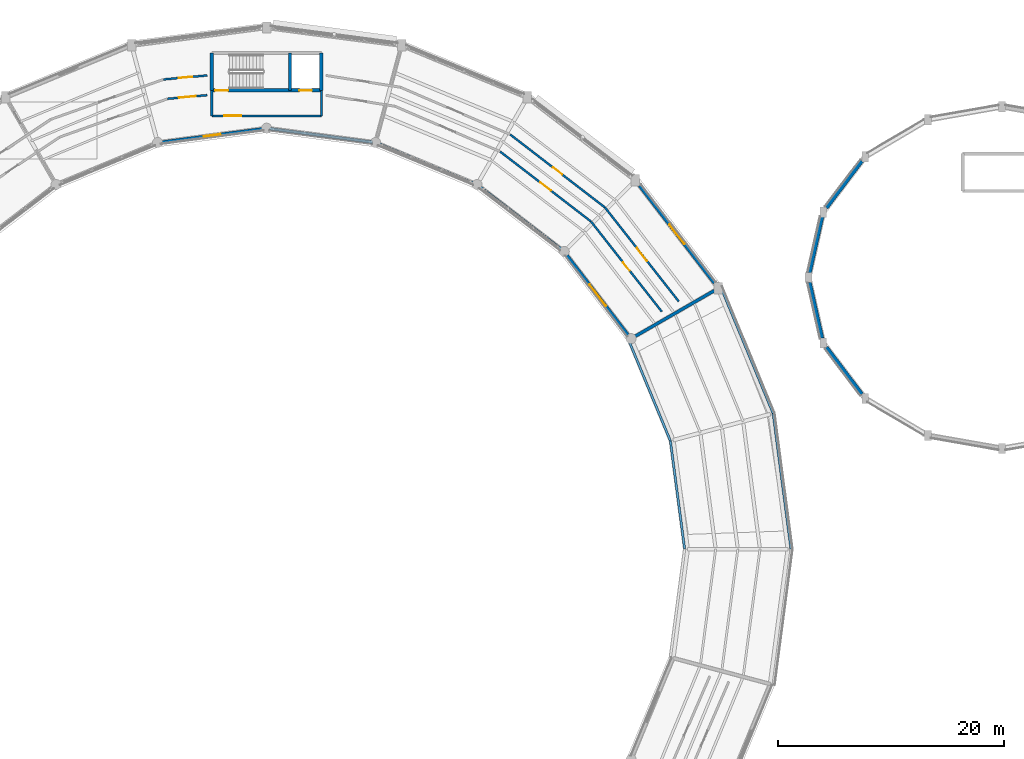
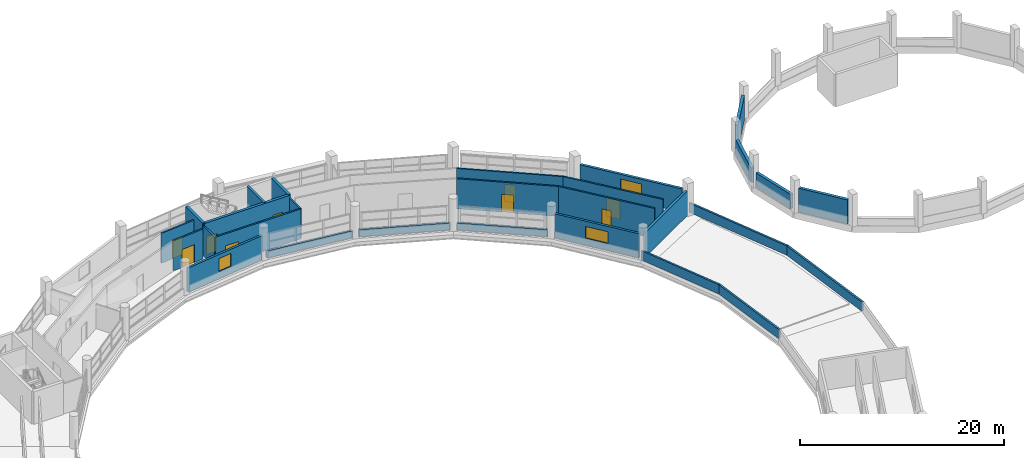
# One storey, part 94 of 108: 28 walls, 9 doors, 3 windows, 12 openings.
"""IFC4 building model written with IfcOpenShell, lengths in metres."""

from ifc_helpers import new_model, si_unit, direction, frame, frame_2d, origin, place, context, subcontext, project, spatial, rectangle, extrude, material, layer, layer_set, type_object, element, fill, save


model = new_model("IFC4")

# Units and contexts
model_context = context("Model", 3, precision=1e-05, world=origin(), true_north=direction((0.0, 1.0)))
body_context = subcontext(model_context, "Body", "Model", "MODEL_VIEW")
ifc_project = project(units=[si_unit("LENGTHUNIT", "METRE"), si_unit("AREAUNIT", "SQUARE_METRE"), si_unit("VOLUMEUNIT", "CUBIC_METRE"), si_unit("PLANEANGLEUNIT", "RADIAN"), si_unit("MASSUNIT", "GRAM", prefix="KILO")], contexts=[model_context])

# Site, building, storey
site_placement = place(None, origin())
site = spatial("IfcSite", under=ifc_project, at=site_placement, CompositionType="ELEMENT")
building_placement = place(site_placement, origin())
building = spatial("IfcBuilding", under=site, at=building_placement, Name="Vespera Passage Community Centre", CompositionType="ELEMENT")
storey_placement = place(building_placement, frame((0.0, 0.0, 12.60009765625)))
storey = spatial("IfcBuildingStorey", under=building, at=storey_placement, Name="L03", CompositionType="ELEMENT", Elevation=12.60009765625)

# Wall, openings, doors
ifc_material_1 = material(Name="Concrete f'c 45 MPa", Category="concrete")
ifc_layer_1 = layer(ifc_material_1, 0.300048828125)
ifc_layer_set_1 = layer_set([ifc_layer_1], Name="Concrete f'c 45 MPa")
wall_type_1 = type_object("IfcWallType", Name="WT-CORE-300I", PredefinedType="SHEAR", material=ifc_layer_set_1)
wall_1_placement = place(storey_placement, frame((82.844970703125, 106.050048828125, 0.0), z_axis=(0.0, 0.0, 1.0), x_axis=(-1.0, 0.0, 0.0)))
wall_1 = element("IfcWall", 1, at=wall_1_placement, inside=storey, type_object=wall_type_1, Name="Core C4 L03 Shear Wall FRONT", PredefinedType="SHEAR", context=body_context, shape_type="SweptSolid", body=[
    extrude(rectangle(XDim=9.68994140625, YDim=0.300048828125, at=frame_2d((4.844970703125, 0.0))), origin(), (0.0, 0.0, 1.0), 3.89990234375),
])
opening_1_placement = place(wall_1_placement, frame((8.2451171875, 0.0, 0.0)))
opening_1 = element("IfcOpeningElement", 2, at=opening_1_placement, cuts=wall_1, Name="Opening DT-STAIR-90", PredefinedType="OPENING", context=body_context, shape_type="SweptSolid", body=[
    extrude(rectangle(XDim=1.14990234375, YDim=2.14990234375, at=frame_2d((0.574951171875, 1.074951171875))), frame((0.0, 0.159912109375, 0.0), z_axis=(0.0, -1.0, 0.0), x_axis=(1.0, 0.0, 0.0)), (0.0, 0.0, 1.0), 0.320068359375),
])
opening_2_placement = place(wall_1_placement, frame((0.85009765625, 0.0, 0.0)))
opening_2 = element("IfcOpeningElement", 3, at=opening_2_placement, cuts=wall_1, Name="Opening DT-LIFT-110", PredefinedType="OPENING", context=body_context, shape_type="SweptSolid", body=[
    extrude(rectangle(XDim=1.10009765625, YDim=2.14990234375, at=frame_2d((0.550048828125, 1.074951171875))), frame((0.0, 0.159912109375, 0.0), z_axis=(0.0, -1.0, 0.0), x_axis=(1.0, 0.0, 0.0)), (0.0, 0.0, 1.0), 0.320068359375),
])
ifc_material_2 = material(Name="Painted hollow-metal acoustic door", Category="steel")
door_type_1 = type_object("IfcDoorType", Name="DT-LIFT-110", OperationType="NOTDEFINED", PredefinedType="DOOR", material=ifc_material_2)
door_1_placement = place(opening_2_placement, origin())
door_1 = element("IfcDoor", 4, at=door_1_placement, inside=storey, type_object=door_type_1, Name="Elevator EL-02 L03 Landing Door LD-020", OperationType="SLIDING_TO_LEFT", OverallHeight=2.14990234375, OverallWidth=1.10009765625, PredefinedType="DOOR", context=body_context, shape_type="SweptSolid", body=[
    extrude(rectangle(XDim=1.10009765625, YDim=2.14990234375, at=frame_2d((0.550048828125, 1.074951171875))), frame((0.0, 0.02490234375, 0.0), z_axis=(0.0, -1.0, 0.0), x_axis=(1.0, 0.0, 0.0)), (0.0, 0.0, 1.0), 0.050048828125),
])
fill(opening_2, door_1)
ifc_material_3 = material(Name="Painted hollow-metal acoustic door", Category="steel")
door_type_2 = type_object("IfcDoorType", Name="DT-STAIR-90", OperationType="NOTDEFINED", PredefinedType="DOOR", material=ifc_material_3)
door_2_placement = place(opening_1_placement, origin())
door_2 = element("IfcDoor", 5, at=door_2_placement, inside=storey, type_object=door_type_2, Name="Core C4 L03 Exit Stair Door D-094", OperationType="SINGLE_SWING_RIGHT", OverallHeight=2.14990234375, OverallWidth=1.14990234375, PredefinedType="DOOR", context=body_context, shape_type="SweptSolid", body=[
    extrude(rectangle(XDim=1.14990234375, YDim=2.14990234375, at=frame_2d((0.574951171875, 1.074951171875))), frame((0.0, 0.02490234375, 0.0), z_axis=(0.0, -1.0, 0.0), x_axis=(1.0, 0.0, 0.0)), (0.0, 0.0, 1.0), 0.050048828125),
])
fill(opening_1, door_2)

# Walls
for number, where, z_axis, x_axis, name in (
    (6, (73.155029296875, 106.050048828125, 0.0), (0.0, 0.0, 1.0), (0.0, 1.0, 0.0), "Core C4 L03 Shear Wall LEFT"),
    (7, (82.844970703125, 109.35009765625, 0.0), (0.0, 0.0, 1.0), (0.0, -1.0, 0.0), "Core C4 L03 Shear Wall RIGHT"),
):
    element("IfcWall", number, at=place(storey_placement, frame(where, z_axis=z_axis, x_axis=x_axis)), inside=storey, type_object=wall_type_1, Name=name, PredefinedType="SHEAR", context=body_context, shape_type="SweptSolid", body=[
        extrude(rectangle(XDim=3.300048828125, YDim=0.300048828125, at=frame_2d((1.64990234375, 0.0))), origin(), (0.0, 0.0, 1.0), 3.89990234375),
    ])

# Wall, opening, door
ifc_material_4 = material(Name="Gypsum board acoustic stud partition")
ifc_layer_2 = layer(ifc_material_4, 0.179931640625)
ifc_layer_set_2 = layer_set([ifc_layer_2], Name="Gypsum board acoustic stud partition")
wall_type_2 = type_object("IfcWallType", Name="WT-CORR-180I", PredefinedType="PARTITIONING", material=ifc_layer_set_2)
wall_2_placement = place(storey_placement, frame((73.155029296875, 103.800048828125, 0.0), z_axis=(0.0, 0.0, 1.0), x_axis=(1.0, 0.0, 0.0)))
wall_2 = element("IfcWall", 8, at=wall_2_placement, inside=storey, type_object=wall_type_2, Name="Core C4 L03 Lift Lobby Front Wall", PredefinedType="PARTITIONING", context=body_context, shape_type="SweptSolid", body=[
    extrude(rectangle(XDim=9.68994140625, YDim=0.179931640625, at=frame_2d((4.844970703125, 0.0))), origin(), (0.0, 0.0, 1.0), 3.594970703125),
])
opening_3_placement = place(wall_2_placement, frame((1.10009765625, 0.0, 0.0)))
opening_3 = element("IfcOpeningElement", 9, at=opening_3_placement, cuts=wall_2, Name="Opening DT-CORR-150", PredefinedType="OPENING", context=body_context, shape_type="SweptSolid", body=[
    extrude(rectangle(XDim=1.5, YDim=2.14990234375, at=frame_2d((0.75, 1.074951171875))), frame((0.0, 0.099853515625, 0.0), z_axis=(0.0, -1.0, 0.0), x_axis=(1.0, 0.0, 0.0)), (0.0, 0.0, 1.0), 0.199951171875),
])
ifc_material_5 = material(Name="Painted hollow-metal acoustic door", Category="steel")
door_type_3 = type_object("IfcDoorType", Name="DT-CORR-150", OperationType="NOTDEFINED", PredefinedType="DOOR", material=ifc_material_5)
door_3_placement = place(opening_3_placement, origin())
door_3 = element("IfcDoor", 10, at=door_3_placement, inside=storey, type_object=door_type_3, Name="Core C4 L03 Lift Lobby Door D-095", OperationType="SINGLE_SWING_LEFT", OverallHeight=2.14990234375, OverallWidth=1.5, PredefinedType="DOOR", context=body_context, shape_type="SweptSolid", body=[
    extrude(rectangle(XDim=1.5, YDim=2.14990234375, at=frame_2d((0.75, 1.074951171875))), frame((0.0, 0.02490234375, 0.0), z_axis=(0.0, -1.0, 0.0), x_axis=(1.0, 0.0, 0.0)), (0.0, 0.0, 1.0), 0.050048828125),
])
fill(opening_3, door_3)

# Walls
for number, where, z_axis, x_axis, name in (
    (11, (73.155029296875, 106.050048828125, 0.0), (0.0, 0.0, 1.0), (0.0, -1.0, 0.0), "Core C4 L03 Lift Lobby Side Wall L"),
    (12, (82.844970703125, 106.050048828125, 0.0), (0.0, 0.0, 1.0), (0.0, -1.0, 0.0), "Core C4 L03 Lift Lobby Side Wall R"),
):
    element("IfcWall", number, at=place(storey_placement, frame(where, z_axis=z_axis, x_axis=x_axis)), inside=storey, type_object=wall_type_2, Name=name, PredefinedType="PARTITIONING", context=body_context, shape_type="SweptSolid", body=[
        extrude(rectangle(XDim=2.25, YDim=0.179931640625, at=frame_2d((1.125, 0.0))), origin(), (0.0, 0.0, 1.0), 3.594970703125),
    ])

# Wall, opening, door
wall_3_placement = place(storey_placement, frame((114.4296875, 87.38916015625, 0.0), z_axis=(0.0, 0.0, 1.0), x_axis=(-0.617569405113, 0.786516388811, 0.0)))
wall_3 = element("IfcWall", 13, at=wall_3_placement, inside=storey, type_object=wall_type_2, Name="L03 Interior Partition V4-L03-CO01.1", PredefinedType="PARTITIONING", context=body_context, shape_type="SweptSolid", body=[
    extrude(rectangle(XDim=10.5634765625, YDim=0.179931640625, at=frame_2d((5.28173828125, 0.0))), origin(), (0.0, 0.0, 1.0), 3.594970703125),
])
opening_4_placement = place(wall_3_placement, frame((4.556640625, 0.0, 0.0)))
opening_4 = element("IfcOpeningElement", 14, at=opening_4_placement, cuts=wall_3, Name="Opening DT-PLANT-145", PredefinedType="OPENING", context=body_context, shape_type="SweptSolid", body=[
    extrude(rectangle(XDim=1.449951171875, YDim=2.199951171875, at=frame_2d((0.72509765625, 1.10009765625))), frame((0.0, 0.099853515625, 0.0), z_axis=(0.0, -1.0, 0.0), x_axis=(1.0, 0.0, 0.0)), (0.0, 0.0, 1.0), 0.199951171875),
])
ifc_material_6 = material(Name="Painted hollow-metal acoustic door", Category="steel")
door_type_4 = type_object("IfcDoorType", Name="DT-PLANT-145", OperationType="NOTDEFINED", PredefinedType="DOOR", material=ifc_material_6)
door_4_placement = place(opening_4_placement, origin())
door_4 = element("IfcDoor", 15, at=door_4_placement, inside=storey, type_object=door_type_4, Name="L03 Interior Door D-222", OperationType="SINGLE_SWING_RIGHT", OverallHeight=2.199951171875, OverallWidth=1.449951171875, PredefinedType="DOOR", context=body_context, shape_type="SweptSolid", body=[
    extrude(rectangle(XDim=1.449951171875, YDim=2.199951171875, at=frame_2d((0.72509765625, 1.10009765625))), frame((0.0, 0.02490234375, 0.0), z_axis=(0.0, -1.0, 0.0), x_axis=(1.0, 0.0, 0.0)), (0.0, 0.0, 1.0), 0.050048828125),
])
fill(opening_4, door_4)

wall_4_placement = place(storey_placement, frame((112.9296875, 86.48779296875, 0.0), z_axis=(0.0, 0.0, 1.0), x_axis=(-0.617570290631, 0.786515693505, 0.0)))
wall_4 = element("IfcWall", 16, at=wall_4_placement, inside=storey, type_object=wall_type_2, Name="L03 Interior Partition V4-L03-CI01.1", PredefinedType="PARTITIONING", context=body_context, shape_type="SweptSolid", body=[
    extrude(rectangle(XDim=10.128662109375, YDim=0.179931640625, at=frame_2d((5.064453125, 0.0))), origin(), (0.0, 0.0, 1.0), 3.594970703125),
])
opening_5_placement = place(wall_4_placement, frame((4.589111328125, 0.0, 0.0)))
opening_5 = element("IfcOpeningElement", 17, at=opening_5_placement, cuts=wall_4, Name="Opening DT-CORR-95", PredefinedType="OPENING", context=body_context, shape_type="SweptSolid", body=[
    extrude(rectangle(XDim=0.949951171875, YDim=2.10009765625, at=frame_2d((0.47509765625, 1.050048828125))), frame((0.0, 0.099853515625, 0.0), z_axis=(0.0, -1.0, 0.0), x_axis=(1.0, 0.0, 0.0)), (0.0, 0.0, 1.0), 0.199951171875),
])
ifc_material_7 = material(Name="Painted hollow-metal acoustic door", Category="steel")
door_type_5 = type_object("IfcDoorType", Name="DT-CORR-95", OperationType="NOTDEFINED", PredefinedType="DOOR", material=ifc_material_7)
door_5_placement = place(opening_5_placement, origin())
door_5 = element("IfcDoor", 18, at=door_5_placement, inside=storey, type_object=door_type_5, Name="L03 Interior Door D-223", OperationType="SINGLE_SWING_LEFT", OverallHeight=2.10009765625, OverallWidth=0.949951171875, PredefinedType="DOOR", context=body_context, shape_type="SweptSolid", body=[
    extrude(rectangle(XDim=0.949951171875, YDim=2.10009765625, at=frame_2d((0.47509765625, 1.050048828125))), frame((0.0, 0.02490234375, 0.0), z_axis=(0.0, -1.0, 0.0), x_axis=(1.0, 0.0, 0.0)), (0.0, 0.0, 1.0), 0.050048828125),
])
fill(opening_5, door_5)

wall_5_placement = place(storey_placement, frame((107.906005859375, 95.697509765625, 0.0), z_axis=(0.0, 0.0, 1.0), x_axis=(-0.792471887743, 0.609908441602, 0.0)))
wall_5 = element("IfcWall", 19, at=wall_5_placement, inside=storey, type_object=wall_type_2, Name="L03 Interior Partition V4-L03-CO02.1", PredefinedType="PARTITIONING", context=body_context, shape_type="SweptSolid", body=[
    extrude(rectangle(XDim=10.563232421875, YDim=0.179931640625, at=frame_2d((5.28173828125, 0.0))), origin(), (0.0, 0.0, 1.0), 3.594970703125),
])
opening_6_placement = place(wall_5_placement, frame((4.756591796875, 0.0, 0.0)))
opening_6 = element("IfcOpeningElement", 20, at=opening_6_placement, cuts=wall_5, Name="Opening DT-CORR-105", PredefinedType="OPENING", context=body_context, shape_type="SweptSolid", body=[
    extrude(rectangle(XDim=1.050048828125, YDim=2.10009765625, at=frame_2d((0.52490234375, 1.050048828125))), frame((0.0, 0.099853515625, 0.0), z_axis=(0.0, -1.0, 0.0), x_axis=(1.0, 0.0, 0.0)), (0.0, 0.0, 1.0), 0.199951171875),
])
ifc_material_8 = material(Name="Painted hollow-metal acoustic door", Category="steel")
door_type_6 = type_object("IfcDoorType", Name="DT-CORR-105", OperationType="NOTDEFINED", PredefinedType="DOOR", material=ifc_material_8)
door_6_placement = place(opening_6_placement, origin())
door_6 = element("IfcDoor", 21, at=door_6_placement, inside=storey, type_object=door_type_6, Name="L03 Interior Door D-224", OperationType="SINGLE_SWING_RIGHT", OverallHeight=2.10009765625, OverallWidth=1.050048828125, PredefinedType="DOOR", context=body_context, shape_type="SweptSolid", body=[
    extrude(rectangle(XDim=1.050048828125, YDim=2.10009765625, at=frame_2d((0.52490234375, 1.050048828125))), frame((0.0, 0.02490234375, 0.0), z_axis=(0.0, -1.0, 0.0), x_axis=(1.0, 0.0, 0.0)), (0.0, 0.0, 1.0), 0.050048828125),
])
fill(opening_6, door_6)

wall_6_placement = place(storey_placement, frame((106.674560546875, 94.4541015625, 0.0), z_axis=(0.0, 0.0, 1.0), x_axis=(-0.792475213615, 0.609904120175, 0.0)))
wall_6 = element("IfcWall", 22, at=wall_6_placement, inside=storey, type_object=wall_type_2, Name="L03 Interior Partition V4-L03-CI02.1", PredefinedType="PARTITIONING", context=body_context, shape_type="SweptSolid", body=[
    extrude(rectangle(XDim=10.128173828125, YDim=0.179931640625, at=frame_2d((5.06396484375, 0.0))), origin(), (0.0, 0.0, 1.0), 3.594970703125),
])
opening_7_placement = place(wall_6_placement, frame((4.464111328125, 0.0, 0.0)))
opening_7 = element("IfcOpeningElement", 23, at=opening_7_placement, cuts=wall_6, Name="Opening DT-CORR-120", PredefinedType="OPENING", context=body_context, shape_type="SweptSolid", body=[
    extrude(rectangle(XDim=1.199951171875, YDim=2.14990234375, at=frame_2d((0.60009765625, 1.074951171875))), frame((0.0, 0.099853515625, 0.0), z_axis=(0.0, -1.0, 0.0), x_axis=(1.0, 0.0, 0.0)), (0.0, 0.0, 1.0), 0.199951171875),
])
ifc_material_9 = material(Name="Painted hollow-metal acoustic door", Category="steel")
door_type_7 = type_object("IfcDoorType", Name="DT-CORR-120", OperationType="NOTDEFINED", PredefinedType="DOOR", material=ifc_material_9)
door_7_placement = place(opening_7_placement, origin())
door_7 = element("IfcDoor", 24, at=door_7_placement, inside=storey, type_object=door_type_7, Name="L03 Interior Door D-225", OperationType="SINGLE_SWING_LEFT", OverallHeight=2.14990234375, OverallWidth=1.199951171875, PredefinedType="DOOR", context=body_context, shape_type="SweptSolid", body=[
    extrude(rectangle(XDim=1.199951171875, YDim=2.14990234375, at=frame_2d((0.60009765625, 1.074951171875))), frame((0.0, 0.02490234375, 0.0), z_axis=(0.0, -1.0, 0.0), x_axis=(1.0, 0.0, 0.0)), (0.0, 0.0, 1.0), 0.050048828125),
])
fill(opening_7, door_7)

wall_7_placement = place(storey_placement, frame((72.7548828125, 107.3662109375, 0.0), z_axis=(0.0, 0.0, 1.0), x_axis=(-0.995803193347, -0.09152049016, 0.0)))
wall_7 = element("IfcWall", 25, at=wall_7_placement, inside=storey, type_object=wall_type_2, Name="L03 Interior Partition V4-L03-CO05.1", PredefinedType="PARTITIONING", context=body_context, shape_type="SweptSolid", body=[
    extrude(rectangle(XDim=3.889404296875, YDim=0.179931640625, at=frame_2d((1.94482421875, 0.0))), origin(), (0.0, 0.0, 1.0), 3.594970703125),
])
opening_8_placement = place(wall_7_placement, frame((1.3447265625, 0.0, 0.0)))
opening_8 = element("IfcOpeningElement", 26, at=opening_8_placement, cuts=wall_7, Name="Opening DT-CORR-120", PredefinedType="OPENING", context=body_context, shape_type="SweptSolid", body=[
    extrude(rectangle(XDim=1.199951171875, YDim=2.14990234375, at=frame_2d((0.60009765625, 1.074951171875))), frame((0.0, 0.099853515625, 0.0), z_axis=(0.0, -1.0, 0.0), x_axis=(1.0, 0.0, 0.0)), (0.0, 0.0, 1.0), 0.199951171875),
])
door_8_placement = place(opening_8_placement, origin())
door_8 = element("IfcDoor", 27, at=door_8_placement, inside=storey, type_object=door_type_7, Name="L03 Interior Door D-230", OperationType="SINGLE_SWING_RIGHT", OverallHeight=2.14990234375, OverallWidth=1.199951171875, PredefinedType="DOOR", context=body_context, shape_type="SweptSolid", body=[
    extrude(rectangle(XDim=1.199951171875, YDim=2.14990234375, at=frame_2d((0.60009765625, 1.074951171875))), frame((0.0, 0.02490234375, 0.0), z_axis=(0.0, -1.0, 0.0), x_axis=(1.0, 0.0, 0.0)), (0.0, 0.0, 1.0), 0.050048828125),
])
fill(opening_8, door_8)

wall_8_placement = place(storey_placement, frame((72.7548828125, 105.62255859375, 0.0), z_axis=(0.0, 0.0, 1.0), x_axis=(-0.995800964817, -0.091544734794, 0.0)))
wall_8 = element("IfcWall", 28, at=wall_8_placement, inside=storey, type_object=wall_type_2, Name="L03 Interior Partition V4-L03-CI05.1", PredefinedType="PARTITIONING", context=body_context, shape_type="SweptSolid", body=[
    extrude(rectangle(XDim=3.51220703125, YDim=0.179931640625, at=frame_2d((1.756103515625, 0.0))), origin(), (0.0, 0.0, 1.0), 3.594970703125),
])
opening_9_placement = place(wall_8_placement, frame((1.006103515625, 0.0, 0.0)))
opening_9 = element("IfcOpeningElement", 29, at=opening_9_placement, cuts=wall_8, Name="Opening DT-CORR-150", PredefinedType="OPENING", context=body_context, shape_type="SweptSolid", body=[
    extrude(rectangle(XDim=1.5, YDim=2.14990234375, at=frame_2d((0.75, 1.074951171875))), frame((0.0, 0.099853515625, 0.0), z_axis=(0.0, -1.0, 0.0), x_axis=(1.0, 0.0, 0.0)), (0.0, 0.0, 1.0), 0.199951171875),
])
door_9_placement = place(opening_9_placement, origin())
door_9 = element("IfcDoor", 30, at=door_9_placement, inside=storey, type_object=door_type_3, Name="L03 Interior Door D-231", OperationType="SINGLE_SWING_LEFT", OverallHeight=2.14990234375, OverallWidth=1.5, PredefinedType="DOOR", context=body_context, shape_type="SweptSolid", body=[
    extrude(rectangle(XDim=1.5, YDim=2.14990234375, at=frame_2d((0.75, 1.074951171875))), frame((0.0, 0.02490234375, 0.0), z_axis=(0.0, -1.0, 0.0), x_axis=(1.0, 0.0, 0.0)), (0.0, 0.0, 1.0), 0.050048828125),
])
fill(opening_9, door_9)

# Wall
ifc_material_10 = material(Name="Concrete f'c 45 MPa", Category="concrete")
ifc_layer_3 = layer(ifc_material_10, 0.239990234375)
ifc_layer_set_3 = layer_set([ifc_layer_3], Name="Concrete f'c 45 MPa")
wall_type_3 = type_object("IfcWallType", Name="WT-DIV-240I", PredefinedType="SHEAR", material=ifc_layer_set_3)
wall_9_placement = place(storey_placement, frame((80.074951171875, 106.050048828125, 0.0), z_axis=(0.0, 0.0, 1.0), x_axis=(0.0, 1.0, 0.0)))
element("IfcWall", 31, at=wall_9_placement, inside=storey, type_object=wall_type_3, Name="Core C4 L03 Hoistway Divider Wall", PredefinedType="SHEAR", context=body_context, shape_type="SweptSolid", body=[
    extrude(rectangle(XDim=3.300048828125, YDim=0.239990234375, at=frame_2d((1.64990234375, 0.0))), origin(), (0.0, 0.0, 1.0), 3.89990234375),
])

# Wall, opening, window
ifc_material_11 = material(Name="Precast concrete f'c 40 MPa", Category="concrete")
ifc_layer_4 = layer(ifc_material_11, 0.25)
ifc_layer_set_4 = layer_set([ifc_layer_4], Name="Precast concrete f'c 40 MPa")
wall_type_4 = type_object("IfcWallType", Name="WT-EXT-250E", PredefinedType="STANDARD", material=ifc_layer_set_4)
wall_10_placement = place(storey_placement, frame((110.001220703125, 84.380126953125, 0.0), z_axis=(0.0, 0.0, 1.0), x_axis=(-0.608769580289, 0.793347085527, 0.0)))
wall_10 = element("IfcWall", 32, at=wall_10_placement, inside=storey, type_object=wall_type_4, Name="V4 L03 Inner Court Precast Wall 2", PredefinedType="STANDARD", context=body_context, shape_type="SweptSolid", body=[
    extrude(rectangle(XDim=9.0048828125, YDim=0.25, at=frame_2d((4.50244140625, 0.0))), origin(), (0.0, 0.0, 1.0), 2.889404296875),
])
opening_10_placement = place(wall_10_placement, frame((3.302490234375, 0.0, 0.85009765625)))
opening_10 = element("IfcOpeningElement", 33, at=opening_10_placement, cuts=wall_10, Name="Opening WN-09E", PredefinedType="OPENING", context=body_context, shape_type="SweptSolid", body=[
    extrude(rectangle(XDim=2.39990234375, YDim=1.39990234375, at=frame_2d((1.199951171875, 0.699951171875))), frame((0.0, 0.135009765625, 0.0), z_axis=(0.0, -1.0, 0.0), x_axis=(1.0, 0.0, 0.0)), (0.0, 0.0, 1.0), 0.27001953125),
])
ifc_material_12 = material(Name="Low-E insulated vision glass", Category="glass")
window_type_1 = type_object("IfcWindowType", Name="WN-09E", PartitioningType="SINGLE_PANEL", PredefinedType="WINDOW", material=ifc_material_12)
window_1_placement = place(opening_10_placement, origin())
window_1 = element("IfcWindow", 34, at=window_1_placement, inside=storey, type_object=window_type_1, Name="Window WN-V4-L03-I02", OverallHeight=1.39990234375, OverallWidth=2.39990234375, PartitioningType="SINGLE_PANEL", PredefinedType="WINDOW", context=body_context, shape_type="SweptSolid", body=[
    extrude(rectangle(XDim=2.39990234375, YDim=1.39990234375, at=frame_2d((1.199951171875, 0.699951171875))), frame((0.0, 0.030029296875, 0.0), z_axis=(0.0, -1.0, 0.0), x_axis=(1.0, 0.0, 0.0)), (0.0, 0.0, 1.0), 0.06005859375),
])
fill(opening_10, window_1)

# Walls
wall_11_placement = place(storey_placement, frame((104.024169921875, 92.019287109375, 0.0), z_axis=(0.0, 0.0, 1.0), x_axis=(-0.793347085527, 0.608769580289, 0.0)))
element("IfcWall", 35, at=wall_11_placement, inside=storey, type_object=wall_type_4, Name="V4 L03 Court Spandrel Wall I3", PredefinedType="STANDARD", context=body_context, shape_type="SweptSolid", body=[
    extrude(rectangle(XDim=9.0048828125, YDim=0.25, at=frame_2d((4.50244140625, 0.0))), origin(), (0.0, 0.0, 1.0), 0.81982421875),
])
wall_12_placement = place(storey_placement, frame((96.322998046875, 97.830810546875, 0.0), z_axis=(0.0, 0.0, 1.0), x_axis=(-0.923880324771, 0.382681519675, 0.0)))
element("IfcWall", 36, at=wall_12_placement, inside=storey, type_object=wall_type_4, Name="V4 L03 Court Spandrel Wall I4", PredefinedType="STANDARD", context=body_context, shape_type="SweptSolid", body=[
    extrude(rectangle(XDim=9.111572265625, YDim=0.25, at=frame_2d((4.5556640625, 0.0))), origin(), (0.0, 0.0, 1.0), 0.81982421875),
])
wall_13_placement = place(storey_placement, frame((87.352783203125, 101.468505859375, 0.0), z_axis=(0.0, 0.0, 1.0), x_axis=(-0.991441766434, 0.130549698469, 0.0)))
element("IfcWall", 37, at=wall_13_placement, inside=storey, type_object=wall_type_4, Name="V4 L03 Court Spandrel Wall I5", PredefinedType="STANDARD", context=body_context, shape_type="SweptSolid", body=[
    extrude(rectangle(XDim=9.156005859375, YDim=0.25, at=frame_2d((4.578125, 0.0))), origin(), (0.0, 0.0, 1.0), 0.81982421875),
])

# Wall, opening, window
wall_14_placement = place(storey_placement, frame((77.724853515625, 102.663818359375, 0.0), z_axis=(0.0, 0.0, 1.0), x_axis=(-0.991441766434, -0.130549698469, 0.0)))
wall_14 = element("IfcWall", 38, at=wall_14_placement, inside=storey, type_object=wall_type_4, Name="V4 L03 Inner Court Precast Wall 6", PredefinedType="STANDARD", context=body_context, shape_type="SweptSolid", body=[
    extrude(rectangle(XDim=9.156005859375, YDim=0.25, at=frame_2d((4.578125, 0.0))), origin(), (0.0, 0.0, 1.0), 2.889404296875),
])
opening_11_placement = place(wall_14_placement, frame((3.827880859375, 0.0, 0.85009765625)))
opening_11 = element("IfcOpeningElement", 39, at=opening_11_placement, cuts=wall_14, Name="Opening WN-10E", PredefinedType="OPENING", context=body_context, shape_type="SweptSolid", body=[
    extrude(rectangle(XDim=1.5, YDim=1.550048828125, at=frame_2d((0.75, 0.77490234375))), frame((0.0, 0.135009765625, 0.0), z_axis=(0.0, -1.0, 0.0), x_axis=(1.0, 0.0, 0.0)), (0.0, 0.0, 1.0), 0.27001953125),
])
ifc_material_13 = material(Name="Low-E insulated vision glass", Category="glass")
window_type_2 = type_object("IfcWindowType", Name="WN-10E", PartitioningType="SINGLE_PANEL", PredefinedType="WINDOW", material=ifc_material_13)
window_2_placement = place(opening_11_placement, origin())
window_2 = element("IfcWindow", 40, at=window_2_placement, inside=storey, type_object=window_type_2, Name="Window WN-V4-L03-I06", OverallHeight=1.550048828125, OverallWidth=1.5, PartitioningType="SINGLE_PANEL", PredefinedType="WINDOW", context=body_context, shape_type="SweptSolid", body=[
    extrude(rectangle(XDim=1.5, YDim=1.550048828125, at=frame_2d((0.75, 0.77490234375))), frame((0.0, 0.030029296875, 0.0), z_axis=(0.0, -1.0, 0.0), x_axis=(1.0, 0.0, 0.0)), (0.0, 0.0, 1.0), 0.06005859375),
])
fill(opening_11, window_2)

ifc_material_14 = material(Name="Precast concrete f'c 40 MPa", Category="concrete")
ifc_layer_5 = layer(ifc_material_14, 0.280029296875)
ifc_layer_set_5 = layer_set([ifc_layer_5], Name="Precast concrete f'c 40 MPa")
wall_type_5 = type_object("IfcWallType", Name="WT-EXT-280E", PredefinedType="STANDARD", material=ifc_layer_set_5)
wall_15_placement = place(storey_placement, frame((110.95751953125, 97.628662109375, 0.0), z_axis=(0.0, 0.0, 1.0), x_axis=(0.608753590889, -0.79335935463, 0.0)))
wall_15 = element("IfcWall", 41, at=wall_15_placement, inside=storey, type_object=wall_type_5, Name="V4 L03 Outer Precast Wall 2", PredefinedType="STANDARD", context=body_context, shape_type="SweptSolid", body=[
    extrude(rectangle(XDim=10.852294921875, YDim=0.280029296875, at=frame_2d((5.42626953125, 0.0))), origin(), (0.0, 0.0, 1.0), 2.805419921875),
])
opening_12_placement = place(wall_15_placement, frame((4.326171875, 0.0, 0.85009765625)))
opening_12 = element("IfcOpeningElement", 42, at=opening_12_placement, cuts=wall_15, Name="Opening WN-08E", PredefinedType="OPENING", context=body_context, shape_type="SweptSolid", body=[
    extrude(rectangle(XDim=2.199951171875, YDim=1.39990234375, at=frame_2d((1.10009765625, 0.699951171875))), frame((0.0, 0.150146484375, 0.0), z_axis=(0.0, -1.0, 0.0), x_axis=(1.0, 0.0, 0.0)), (0.0, 0.0, 1.0), 0.300048828125),
])
ifc_material_15 = material(Name="Low-E insulated vision glass", Category="glass")
window_type_3 = type_object("IfcWindowType", Name="WN-08E", PartitioningType="SINGLE_PANEL", PredefinedType="WINDOW", material=ifc_material_15)
window_3_placement = place(opening_12_placement, origin())
window_3 = element("IfcWindow", 43, at=window_3_placement, inside=storey, type_object=window_type_3, Name="Window WN-V4-L03-O02", OverallHeight=1.39990234375, OverallWidth=2.199951171875, PartitioningType="SINGLE_PANEL", PredefinedType="WINDOW", context=body_context, shape_type="SweptSolid", body=[
    extrude(rectangle(XDim=2.199951171875, YDim=1.39990234375, at=frame_2d((1.10009765625, 0.699951171875))), frame((0.0, 0.030029296875, 0.0), z_axis=(0.0, -1.0, 0.0), x_axis=(1.0, 0.0, 0.0)), (0.0, 0.0, 1.0), 0.06005859375),
])
fill(opening_12, window_3)

# Walls
wall_16_placement = place(storey_placement, frame((117.570556640625, 88.345947265625, 0.0), z_axis=(0.0, 0.0, 1.0), x_axis=(-0.866037309438, -0.499979378237, 0.0)))
element("IfcWall", 44, at=wall_16_placement, inside=storey, type_object=wall_type_5, Name="V4 L03 Radial End Facade Wall START", PredefinedType="STANDARD", context=body_context, shape_type="SweptSolid", body=[
    extrude(rectangle(XDim=8.170654296875, YDim=0.280029296875, at=frame_2d((4.08544921875, 0.0))), origin(), (0.0, 0.0, 1.0), 2.95654296875),
])
ifc_material_16 = material(Name="Precast concrete f'c 40 MPa", Category="concrete")
ifc_layer_6 = layer(ifc_material_16, 0.320068359375)
ifc_layer_set_6 = layer_set([ifc_layer_6], Name="Precast concrete f'c 40 MPa")
wall_type_6 = type_object("IfcWallType", Name="WT-EXT-320E", PredefinedType="STANDARD", material=ifc_layer_set_6)
wall_17_placement = place(storey_placement, frame((127.486572265625, 95.655029296875, 0.0), z_axis=(0.0, 0.0, 1.0), x_axis=(0.603398282319, 0.797439974477, 0.0)))
element("IfcWall", 45, at=wall_17_placement, inside=storey, type_object=wall_type_6, Name="V2 L03 Facade Wall 7", PredefinedType="STANDARD", context=body_context, shape_type="SweptSolid", body=[
    extrude(rectangle(XDim=5.19873046875, YDim=0.320068359375, at=frame_2d((2.599365234375, 0.0))), origin(), (0.0, 0.0, 1.0), 2.885009765625),
])
for number, where, z_axis, x_axis, name in (
    (46, (125.995849609375, 89.925537109375, 0.0), (0.0, 0.0, 1.0), (0.219744533343, 0.97555745093, 0.0), "V2 L03 Facade Wall 8"),
    (47, (127.105712890625, 84.147216796875, 0.0), (0.0, 0.0, 1.0), (-0.219744533343, 0.97555745093, 0.0), "V2 L03 Facade Wall 9"),
):
    element("IfcWall", number, at=place(storey_placement, frame(where, z_axis=z_axis, x_axis=x_axis)), inside=storey, type_object=wall_type_6, Name=name, PredefinedType="STANDARD", context=body_context, shape_type="SweptSolid", body=[
        extrude(rectangle(XDim=5.05078125, YDim=0.320068359375, at=frame_2d((2.525390625, 0.0))), origin(), (0.0, 0.0, 1.0), 1.75048828125),
    ])
wall_18_placement = place(storey_placement, frame((130.62353515625, 79.19921875, 0.0), z_axis=(0.0, 0.0, 1.0), x_axis=(-0.603398282319, 0.797439974477, 0.0)))
element("IfcWall", 48, at=wall_18_placement, inside=storey, type_object=wall_type_6, Name="V2 L03 Facade Wall 10", PredefinedType="STANDARD", context=body_context, shape_type="SweptSolid", body=[
    extrude(rectangle(XDim=5.19873046875, YDim=0.320068359375, at=frame_2d((2.599365234375, 0.0))), origin(), (0.0, 0.0, 1.0), 2.885009765625),
])
ifc_material_17 = material(Name="Precast concrete f'c 40 MPa", Category="concrete")
ifc_layer_7 = layer(ifc_material_17, 0.199951171875)
ifc_layer_set_7 = layer_set([ifc_layer_7], Name="Precast concrete f'c 40 MPa")
wall_type_7 = type_object("IfcWallType", Name="WT-PAR-200E", PredefinedType="PARAPET", material=ifc_layer_set_7)
wall_19_placement = place(storey_placement, frame((124.35009765625, 65.5, 0.0), z_axis=(0.0, 0.0, 1.0), x_axis=(-0.130526018203, 0.991444884284, 0.0)))
element("IfcWall", 49, at=wall_19_placement, inside=storey, type_object=wall_type_7, Name="V4 L03 Step Roof Outer Parapet 1.1", PredefinedType="PARAPET", context=body_context, shape_type="SweptSolid", body=[
    extrude(rectangle(XDim=12.099853515625, YDim=0.199951171875, at=frame_2d((6.0498046875, 0.0))), origin(), (0.0, 0.0, 1.0), 1.119873046875),
])
wall_20_placement = place(storey_placement, frame((114.949951171875, 65.5, 0.0), z_axis=(0.0, 0.0, 1.0), x_axis=(-0.130523912435, 0.991445161511, 0.0)))
element("IfcWall", 50, at=wall_20_placement, inside=storey, type_object=wall_type_7, Name="V4 L03 Step Roof Inner Parapet 1.1", PredefinedType="PARAPET", context=body_context, shape_type="SweptSolid", body=[
    extrude(rectangle(XDim=9.64599609375, YDim=0.199951171875, at=frame_2d((4.822998046875, 0.0))), origin(), (0.0, 0.0, 1.0), 1.119873046875),
])
wall_21_placement = place(storey_placement, frame((122.770751953125, 77.496337890625, 0.0), z_axis=(0.0, 0.0, 1.0), x_axis=(-0.382683249912, 0.923879608086, 0.0)))
element("IfcWall", 51, at=wall_21_placement, inside=storey, type_object=wall_type_7, Name="V4 L03 Step Roof Outer Parapet 1.2", PredefinedType="PARAPET", context=body_context, shape_type="SweptSolid", body=[
    extrude(rectangle(XDim=12.099853515625, YDim=0.199951171875, at=frame_2d((6.0498046875, 0.0))), origin(), (0.0, 0.0, 1.0), 1.119873046875),
])
wall_22_placement = place(storey_placement, frame((113.69091796875, 75.0634765625, 0.0), z_axis=(0.0, 0.0, 1.0), x_axis=(-0.382691567136, 0.923876162937, 0.0)))
element("IfcWall", 52, at=wall_22_placement, inside=storey, type_object=wall_type_7, Name="V4 L03 Step Roof Inner Parapet 1.2", PredefinedType="PARAPET", context=body_context, shape_type="SweptSolid", body=[
    extrude(rectangle(XDim=9.64599609375, YDim=0.199951171875, at=frame_2d((4.822998046875, 0.0))), origin(), (0.0, 0.0, 1.0), 1.119873046875),
])

save(model, "model.ifc")
